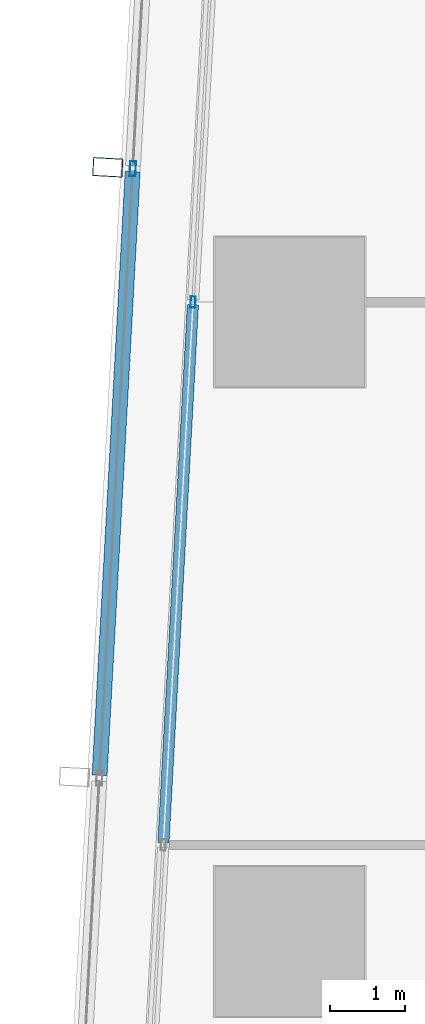
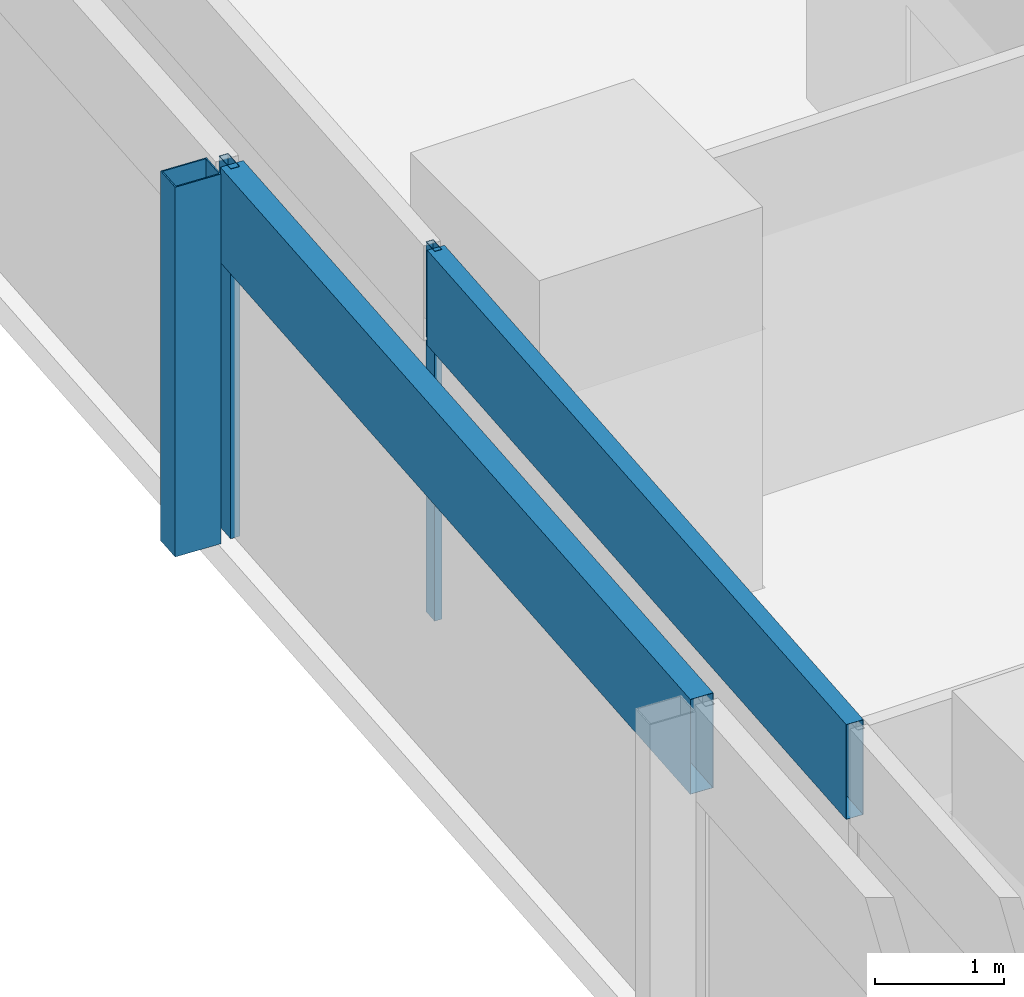
# One storey, part 12 of 36: 5 members, 2 elements without a shape of their own.
"""IFC4 building model written with IfcOpenShell, lengths in metres."""

import ifcopenshell
import ifcopenshell.guid

model = None  # the IFC model being written
_history = None  # IfcOwnerHistory: only IFC2X3 demands one
_inside = {}  # id of a spatial element -> (the spatial element, [elements in it])
_under = {}  # id of a project, library or spatial element -> (it, [spatial elements below it])
_declared = {}  # id of a project -> (the project, [libraries it declares])
_typed = {}  # id of a type object -> (the type object, [elements of that type])
_made_of = {}  # id of a material, layer set ... -> (it, [elements and type objects made of it])


def new_model(schema):
    """Start an empty IFC model of exactly this schema.

    Asked for "IFC4X3", IfcOpenShell would pick the latest addendum, in which some entities
    have other attributes; the version numbers below select the first issue.
    IFC2X3 requires an IfcOwnerHistory on every rooted entity: one is made here for all.
    """
    global model, _history
    if schema == "IFC4X3":
        model = ifcopenshell.file(schema_version=(4, 3, 0, 0))
    else:
        model = ifcopenshell.file(schema=schema)
    _inside.clear()
    _under.clear()
    _declared.clear()
    _typed.clear()
    _made_of.clear()
    _history = None
    if model.schema == "IFC2X3":
        org = make("IfcOrganization", Name="unknown")
        user = make(
            "IfcPersonAndOrganization",
            ThePerson=make("IfcPerson", FamilyName="unknown"),
            TheOrganization=org,
        )
        app = make(
            "IfcApplication",
            ApplicationDeveloper=org,
            Version="unknown",
            ApplicationFullName="unknown",
            ApplicationIdentifier="unknown",
        )
        _history = make(
            "IfcOwnerHistory",
            OwningUser=user,
            OwningApplication=app,
            ChangeAction="ADDED",
            CreationDate=0,
        )
    return model


def make(cls, **values):
    """One entity of the class cls with the attributes given. An attribute that is None is left unset."""
    return model.create_entity(
        cls, **{name: value for name, value in values.items() if value is not None}
    )


def rooted(cls, **values):
    """An entity with a GlobalId (a new one), such as an element, a storey or a relation."""
    return make(cls, GlobalId=ifcopenshell.guid.new(), OwnerHistory=_history, **values)


def si_unit(unit_type, name, prefix=None):
    """IfcSIUnit, for example si_unit("LENGTHUNIT", "METRE", prefix="MILLI")."""
    return make("IfcSIUnit", UnitType=unit_type, Prefix=prefix, Name=name)


def assignment(units):
    """IfcUnitAssignment: the units of a project."""
    return None if units is None else make("IfcUnitAssignment", Units=units)


def point(xyz):
    """IfcCartesianPoint."""
    return None if xyz is None else make("IfcCartesianPoint", Coordinates=xyz)


def direction(xyz):
    """IfcDirection."""
    return None if xyz is None else make("IfcDirection", DirectionRatios=xyz)


def frame(location, z_axis=None, x_axis=None):
    """IfcAxis2Placement3D, a coordinate frame: its origin and axes. An axis left out is left unset."""
    return make(
        "IfcAxis2Placement3D",
        Location=point(location),
        Axis=direction(z_axis),
        RefDirection=direction(x_axis),
    )


def frame_2d(location, x_axis=None):
    """IfcAxis2Placement2D, a coordinate frame in the plane: its origin and x axis."""
    return make(
        "IfcAxis2Placement2D", Location=point(location), RefDirection=direction(x_axis)
    )


def origin():
    """The frame at (0, 0, 0) with its axes left unset."""
    return frame((0.0, 0.0, 0.0))


def origin_2d():
    """The frame at (0, 0) in the plane with its x axis left unset."""
    return frame_2d((0.0, 0.0))


def place(relative_to, where):
    """IfcLocalPlacement: puts the frame where relative to a parent placement (None: the world)."""
    return make(
        "IfcLocalPlacement", PlacementRelTo=relative_to, RelativePlacement=where
    )


def context(
    kind, dimensions, precision=None, world=None, true_north=None, identifier=None
):
    """IfcGeometricRepresentationContext, for example the 3D "Model" context."""
    return make(
        "IfcGeometricRepresentationContext",
        ContextIdentifier=identifier,
        ContextType=kind,
        CoordinateSpaceDimension=dimensions,
        Precision=precision,
        WorldCoordinateSystem=world,
        TrueNorth=true_north,
    )


def subcontext(parent, identifier, kind, view, scale=None):
    """IfcGeometricRepresentationSubContext, for example "Body" below "Model"."""
    return make(
        "IfcGeometricRepresentationSubContext",
        ContextIdentifier=identifier,
        ContextType=kind,
        ParentContext=parent,
        TargetScale=scale,
        TargetView=view,
    )


def project(units=None, contexts=None):
    """IfcProject with its units and contexts."""
    return rooted(
        "IfcProject",
        Name="project",
        RepresentationContexts=contexts,
        UnitsInContext=assignment(units),
    )


def spatial(cls, under=None, at=None, **own):
    """A site, building, storey or space (cls), placed at a placement, below another one or the project."""
    s = rooted(cls, ObjectPlacement=at, **own)
    if under is not None:
        _under.setdefault(under.id(), (under, []))[1].append(s)
    return s


def profile(cls, at=None, kind="AREA", **sizes):
    """A parametric profile (cls). Its sizes go by their IFC names, for example OverallWidth=200.0."""
    return make(cls, ProfileType=kind, Position=at, **sizes)


def hollow_rectangle(**sizes):
    """IfcRectangleHollowProfileDef."""
    return profile("IfcRectangleHollowProfileDef", **sizes)


def extrude(swept, where, along, depth):
    """IfcExtrudedAreaSolid: the profile swept, set in the frame where, extruded along a direction by depth."""
    return make(
        "IfcExtrudedAreaSolid",
        SweptArea=swept,
        Position=where,
        ExtrudedDirection=direction(along),
        Depth=depth,
    )


def shape(context_of_items, identifier, shape_type, items):
    """IfcShapeRepresentation: the items that make up one representation, for example the "Body"."""
    return make(
        "IfcShapeRepresentation",
        ContextOfItems=context_of_items,
        RepresentationIdentifier=identifier,
        RepresentationType=shape_type,
        Items=items,
    )


def material(Name=None, Category=None):
    """IfcMaterial."""
    return make("IfcMaterial", Name=Name, Category=Category)


def material_profile(
    of_material, cross_section, Name=None, Category=None, Priority=None
):
    """IfcMaterialProfile: a cross section and its material."""
    return make(
        "IfcMaterialProfile",
        Name=Name,
        Material=of_material,
        Profile=cross_section,
        Priority=Priority,
        Category=Category,
    )


def profile_set(profiles, Name=None, composite=None):
    """IfcMaterialProfileSet."""
    return make(
        "IfcMaterialProfileSet",
        Name=Name,
        MaterialProfiles=profiles,
        CompositeProfile=composite,
    )


def made_of(thing, what):
    """Note that an element or type object is made of a material, layer set ...; save() writes the relation."""
    if what is not None:
        _made_of.setdefault(what.id(), (what, []))[1].append(thing)
    return thing


def type_object(cls, material=None, **own):
    """A type object (cls), such as IfcWallType, which elements share."""
    return made_of(rooted(cls, **own), material)


def element(
    cls,
    number,
    at=None,
    inside=None,
    cuts=None,
    type_object=None,
    material=None,
    context=None,
    identifier="Body",
    shape_type=None,
    held_by="IfcProductDefinitionShape",
    body=None,
    shapes=None,
    **own,
):
    """One element of the class cls, such as IfcWall. Its Tag is "e" and its number.

    at: its placement. inside: the storey or other place that contains it. cuts: it is an
    opening in that element (IfcRelVoidsElement). A single representation is given by context,
    identifier, shape_type and body (its items); several are given by shapes. held_by: the class
    of the entity that holds the representations. save() writes the other relations.
    """
    e = rooted(cls, Tag="e%d" % number, ObjectPlacement=at, **own)
    if body is not None:
        shapes = [shape(context, identifier, shape_type, body)]
    if shapes is not None:
        e.Representation = make(held_by, Representations=shapes)
    if inside is not None:
        _inside.setdefault(inside.id(), (inside, []))[1].append(e)
    if cuts is not None:
        rooted(
            "IfcRelVoidsElement", RelatingBuildingElement=cuts, RelatedOpeningElement=e
        )
    if type_object is not None:
        _typed.setdefault(type_object.id(), (type_object, []))[1].append(e)
    return made_of(e, material)


def aggregate(whole, parts):
    """IfcRelAggregates: a whole, such as a stair, and the parts it consists of."""
    return rooted("IfcRelAggregates", RelatingObject=whole, RelatedObjects=parts)


def save(model, path):
    """Write the relations noted so far, then the file.

    IfcRelAggregates (storeys below a building ...), IfcRelContainedInSpatialStructure (elements
    in a storey), IfcRelDefinesByType, IfcRelAssociatesMaterial and IfcRelDeclares: one each for
    every whole, place, type object, material and project.
    """
    for whole, parts in _under.values():
        aggregate(whole, parts)
    for where, things in _inside.values():
        rooted(
            "IfcRelContainedInSpatialStructure",
            RelatedElements=things,
            RelatingStructure=where,
        )
    for kind, things in _typed.values():
        rooted("IfcRelDefinesByType", RelatedObjects=things, RelatingType=kind)
    for what, things in _made_of.values():
        rooted("IfcRelAssociatesMaterial", RelatedObjects=things, RelatingMaterial=what)
    for by, libraries in _declared.values():
        rooted("IfcRelDeclares", RelatingContext=by, RelatedDefinitions=libraries)
    model.write(path)


model = new_model("IFC4")

# Units and contexts
model_context = context("Model", 3, precision=1e-05, world=origin(), true_north=direction((0.0, 1.0)))
body_context = subcontext(model_context, "Body", "Model", "MODEL_VIEW")
ifc_project = project(units=[si_unit("LENGTHUNIT", "METRE"), si_unit("AREAUNIT", "SQUARE_METRE"), si_unit("VOLUMEUNIT", "CUBIC_METRE"), si_unit("PLANEANGLEUNIT", "RADIAN"), si_unit("MASSUNIT", "GRAM", prefix="KILO")], contexts=[model_context])

# Site, building, storey
site_placement = place(None, origin())
site = spatial("IfcSite", under=ifc_project, at=site_placement, CompositionType="ELEMENT")
building_placement = place(site_placement, origin())
building = spatial("IfcBuilding", under=site, at=building_placement, Name="Rekha Terrace Tower", CompositionType="ELEMENT")
storey_placement = place(building_placement, frame((0.0, 0.0, 144.050048828125)))
storey = spatial("IfcBuildingStorey", under=building, at=storey_placement, Name="L36", CompositionType="ELEMENT", Elevation=144.050048828125)

# Curtain wall, member
ifc_material_1 = material(Name="Aluminium framing", Category="aluminium")
curtain_wall_type_1 = type_object("IfcCurtainWallType", Name="CW2 double skin outer glazing", PredefinedType="USERDEFINED", material=ifc_material_1)
curtain_wall_1_placement = place(storey_placement, origin())
curtain_wall_1 = element("IfcCurtainWall", 1, at=curtain_wall_1_placement, inside=storey, type_object=curtain_wall_type_1, Name="CW2 double skin outer glazing", ObjectType="DOUBLE SKIN OUTER GLAZING", PredefinedType="USERDEFINED")
ifc_material_2 = material(Name="Steel S355 with fluorocarbon finish", Category="steel")
ifc_material_profile_1 = material_profile(ifc_material_2, hollow_rectangle(XDim=0.25, YDim=0.39990234375, WallThickness=0.012451171875, at=origin_2d()), Name="RHS400x250x12.5")
ifc_profile_set_1 = profile_set([ifc_material_profile_1], Name="Steel S355 with fluorocarbon finish")
member_type_1 = type_object("IfcMemberType", Name="BL1 facade blade RHS 400 x 250", PredefinedType="USERDEFINED", material=ifc_profile_set_1)
member_1_placement = place(storey_placement, frame((5.97119140625, 52.330078125, 0.0), z_axis=(0.0, 0.0, 1.0), x_axis=(-0.054742798353, -0.998500488747, 0.0)))
member_1 = element("IfcMember", 2, at=member_1_placement, type_object=member_type_1, Name="Facade blade", ObjectType="FACADE BLADE", PredefinedType="USERDEFINED", context=body_context, shape_type="SweptSolid", body=[
    extrude(hollow_rectangle(XDim=0.25, YDim=0.39990234375, WallThickness=0.012451171875, at=origin_2d()), origin(), (0.0, 0.0, 1.0), 3.5),
])

# Curtain wall, members
curtain_wall_type_2 = type_object("IfcCurtainWallType", Name="CW1 double skin inner glazing", PredefinedType="USERDEFINED", material=ifc_material_1)
curtain_wall_2_placement = place(storey_placement, origin())
curtain_wall_2 = element("IfcCurtainWall", 3, at=curtain_wall_2_placement, inside=storey, type_object=curtain_wall_type_2, Name="CW1 double skin inner glazing", ObjectType="DOUBLE SKIN INNER GLAZING", PredefinedType="USERDEFINED")
ifc_material_3 = material(Name="Aluminium mullion section", Category="aluminium")
ifc_material_profile_2 = material_profile(ifc_material_3, hollow_rectangle(XDim=0.06494140625, YDim=0.14990234375, WallThickness=0.00390625, at=origin_2d()), Name="AL RHS 65x150")
ifc_profile_set_2 = profile_set([ifc_material_profile_2], Name="Aluminium mullion section")
member_type_2 = type_object("IfcMemberType", Name="CW1 mullion RHS 65 x 150", PredefinedType="MULLION", material=ifc_profile_set_2)
member_2_placement = place(storey_placement, frame((7.109619140625, 50.531005859375, 0.0), z_axis=(0.0, 0.0, 1.0), x_axis=(0.998500513181, -0.05474235269, 0.0)))
member_2 = element("IfcMember", 4, at=member_2_placement, type_object=member_type_2, Name="CW1 mullion 2", PredefinedType="MULLION", context=body_context, shape_type="SweptSolid", body=[
    extrude(hollow_rectangle(XDim=0.06494140625, YDim=0.14990234375, WallThickness=0.00390625, at=origin_2d()), origin(), (0.0, 0.0, 1.0), 3.5),
])
ifc_material_4 = material(Name="Insulated aluminium spandrel box", Category="aluminium")
ifc_material_profile_3 = material_profile(ifc_material_4, hollow_rectangle(XDim=0.14990234375, YDim=0.89990234375, WallThickness=0.0029296875, at=origin_2d()), Name="AL SPANDREL BOX 150x900")
ifc_profile_set_3 = profile_set([ifc_material_profile_3], Name="Insulated aluminium spandrel box")
member_type_3 = type_object("IfcMemberType", Name="CW1 spandrel transom 150 x 900", PredefinedType="USERDEFINED", material=ifc_profile_set_3)
member_3_placement = place(storey_placement, frame((7.107666015625, 50.49853515625, 3.050048828125), z_axis=(-0.054736561892, -0.998500830642, 0.0), x_axis=(0.998500830642, -0.054736561892, 0.0)))
member_3 = element("IfcMember", 5, at=member_3_placement, type_object=member_type_3, Name="CW1 spandrel transom 2", ObjectType="TRANSOM", PredefinedType="USERDEFINED", context=body_context, shape_type="SweptSolid", body=[
    extrude(hollow_rectangle(XDim=0.14990234375, YDim=0.89990234375, WallThickness=0.0029296875, at=origin_2d()), origin(), (0.0, 0.0, 1.0), 7.18994140625),
])
aggregate(curtain_wall_2, [member_2, member_3])

# Member
ifc_material_profile_4 = material_profile(ifc_material_3, hollow_rectangle(XDim=0.080078125, YDim=0.199951171875, WallThickness=0.00390625, at=origin_2d()), Name="AL RHS 80x200")
ifc_profile_set_4 = profile_set([ifc_material_profile_4], Name="Aluminium mullion section")
member_type_4 = type_object("IfcMemberType", Name="CW2 mullion RHS 80 x 200", PredefinedType="MULLION", material=ifc_profile_set_4)
member_4_placement = place(storey_placement, frame((6.305908203125, 52.3115234375, 0.0), z_axis=(0.0, 0.0, 1.0), x_axis=(0.99850051318, -0.054742352707, 0.0)))
member_4 = element("IfcMember", 6, at=member_4_placement, type_object=member_type_4, Name="CW2 mullion 2", PredefinedType="MULLION", context=body_context, shape_type="SweptSolid", body=[
    extrude(hollow_rectangle(XDim=0.080078125, YDim=0.199951171875, WallThickness=0.00390625, at=origin_2d()), origin(), (0.0, 0.0, 1.0), 3.5),
])

ifc_material_profile_5 = material_profile(ifc_material_4, hollow_rectangle(XDim=0.199951171875, YDim=0.89990234375, WallThickness=0.0029296875, at=origin_2d()), Name="AL SPANDREL BOX 200x900")
ifc_profile_set_5 = profile_set([ifc_material_profile_5], Name="Insulated aluminium spandrel box")
member_type_5 = type_object("IfcMemberType", Name="CW2 spandrel transom 200 x 900", PredefinedType="USERDEFINED", material=ifc_profile_set_5)
member_5_placement = place(storey_placement, frame((6.3037109375, 52.271728515625, 3.050048828125), z_axis=(-0.054750889081, -0.99850004514, 0.0), x_axis=(0.99850004514, -0.054750889081, 0.0)))
member_5 = element("IfcMember", 7, at=member_5_placement, type_object=member_type_5, Name="CW2 spandrel transom 2", ObjectType="TRANSOM", PredefinedType="USERDEFINED", context=body_context, shape_type="SweptSolid", body=[
    extrude(hollow_rectangle(XDim=0.199951171875, YDim=0.89990234375, WallThickness=0.0029296875, at=origin_2d()), origin(), (0.0, 0.0, 1.0), 8.066650390625),
])

aggregate(curtain_wall_1, [member_4, member_5, member_1])

save(model, "model.ifc")
